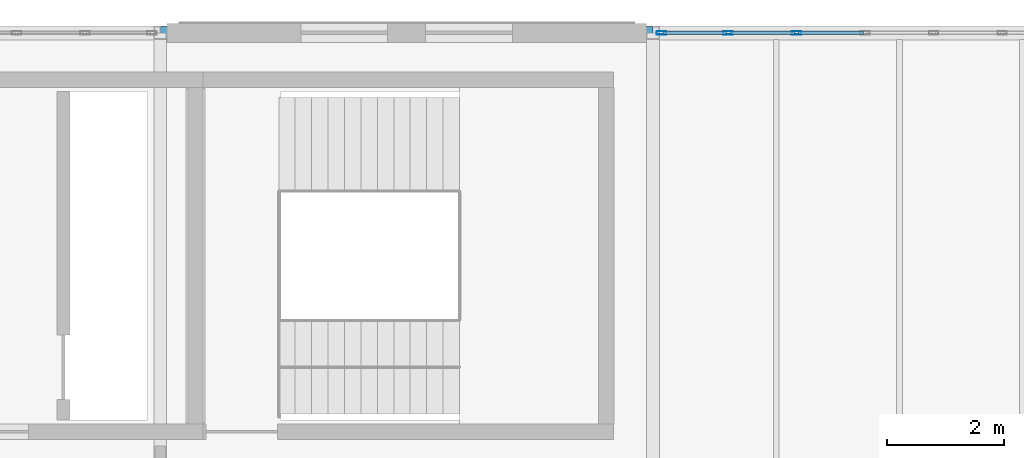
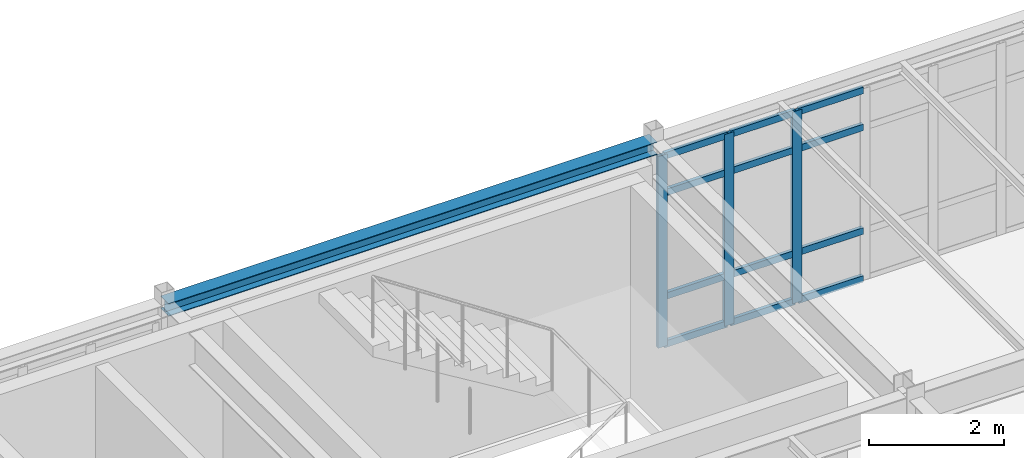
# One storey, part 52 of 114: 15 members, 1 beam, 1 element without a shape of its own.
"""IFC4 building model written with IfcOpenShell, lengths in metres."""

from ifc_helpers import new_model, si_unit, direction, frame, origin, origin_2d, place, context, subcontext, project, spatial, hollow_rectangle, i_section, extrude, material, layer, layer_set, material_profile, profile_set, type_object, element, aggregate, save


model = new_model("IFC4")

# Units and contexts
model_context = context("Model", 3, precision=1e-05, world=origin(), true_north=direction((0.0, 1.0)))
body_context = subcontext(model_context, "Body", "Model", "MODEL_VIEW")
ifc_project = project(units=[si_unit("LENGTHUNIT", "METRE"), si_unit("AREAUNIT", "SQUARE_METRE"), si_unit("VOLUMEUNIT", "CUBIC_METRE"), si_unit("PLANEANGLEUNIT", "RADIAN"), si_unit("MASSUNIT", "GRAM", prefix="KILO")], contexts=[model_context])

# Site, building, storey
site_placement = place(None, origin())
site = spatial("IfcSite", under=ifc_project, at=site_placement, CompositionType="ELEMENT")
building_placement = place(site_placement, origin())
building = spatial("IfcBuilding", under=site, at=building_placement, Name="Montecoro Central Library", CompositionType="ELEMENT")
storey_placement = place(building_placement, frame((0.0, 0.0, 13.260009765625)))
storey = spatial("IfcBuildingStorey", under=building, at=storey_placement, Name="L03", CompositionType="ELEMENT", Elevation=13.260009765625)

# Beam
ifc_material_1 = material(Name="Steel S355", Category="steel")
ifc_material_profile_1 = material_profile(ifc_material_1, i_section(OverallWidth=0.239990234375, OverallDepth=0.22998046875, WebThickness=0.007568359375, FlangeThickness=0.011962890625, at=origin_2d()), Name="HEA 240")
ifc_profile_set_1 = profile_set([ifc_material_profile_1], Name="Steel S355")
beam_type = type_object("IfcBeamType", Name="BM-SP-HEA240", PredefinedType="SPANDREL", material=ifc_profile_set_1)
beam_placement = place(storey_placement, frame((100.0048828125, 119.0, 3.7099609375), z_axis=(1.0, 0.0, 0.0), x_axis=(0.0, 1.0, 0.0)))
element("IfcBeam", 1, at=beam_placement, inside=storey, type_object=beam_type, Name="V2-L03-BX-1314-R", PredefinedType="SPANDREL", context=body_context, shape_type="SweptSolid", body=[
    extrude(i_section(OverallWidth=0.239990234375, OverallDepth=0.22998046875, WebThickness=0.007568359375, FlangeThickness=0.011962890625, at=origin_2d()), origin(), (0.0, 0.0, 1.0), 8.39013671875),
])

# Curtain wall, members
ifc_material_2 = material(Name="Bronze-anodised aluminium and low-E glazing", Category="aluminium")
ifc_layer = layer(ifc_material_2, 0.159912109375)
ifc_layer_set = layer_set([ifc_layer], Name="Bronze-anodised aluminium and low-E glazing")
curtain_wall_type = type_object("IfcCurtainWallType", Name="CWT-019", PredefinedType="NOTDEFINED", material=ifc_layer_set)
curtain_wall_placement = place(storey_placement, origin())
curtain_wall = element("IfcCurtainWall", 2, at=curtain_wall_placement, inside=storey, type_object=curtain_wall_type, Name="V2-L03-CW-N5", PredefinedType="NOTDEFINED")
ifc_material_3 = material(Name="Bronze-anodised aluminium", Category="aluminium")
ifc_material_profile_2 = material_profile(ifc_material_3, hollow_rectangle(XDim=0.06005859375, YDim=0.159912109375, WallThickness=0.00390625, at=origin_2d()), Name="CWM 160x60x4.0")
ifc_profile_set_2 = profile_set([ifc_material_profile_2], Name="Bronze-anodised aluminium")
member_type_1 = type_object("IfcMemberType", Name="CWM-BRZ-60", PredefinedType="MULLION", material=ifc_profile_set_2)
member_1_placement = place(storey_placement, frame((110.848388671875, 119.0, 0.0), z_axis=(0.0, 0.0, 1.0), x_axis=(0.0, -1.0, 0.0)))
member_1 = element("IfcMember", 3, at=member_1_placement, type_object=member_type_1, Name="CW-019 mullion 6", PredefinedType="MULLION", context=body_context, shape_type="SweptSolid", body=[
    extrude(hollow_rectangle(XDim=0.06005859375, YDim=0.159912109375, WallThickness=0.00390625, at=origin_2d()), origin(), (0.0, 0.0, 1.0), 3.47998046875),
])
member_2_placement = place(storey_placement, frame((109.6806640625, 119.0, 0.0), z_axis=(0.0, 0.0, 1.0), x_axis=(0.0, -1.0, 0.0)))
member_2 = element("IfcMember", 4, at=member_2_placement, type_object=member_type_1, Name="CW-019 mullion 7", PredefinedType="MULLION", context=body_context, shape_type="SweptSolid", body=[
    extrude(hollow_rectangle(XDim=0.06005859375, YDim=0.159912109375, WallThickness=0.00390625, at=origin_2d()), origin(), (0.0, 0.0, 1.0), 3.47998046875),
])
member_3_placement = place(storey_placement, frame((108.54296875, 119.0, 0.0), z_axis=(0.0, 0.0, 1.0), x_axis=(0.0, -1.0, 0.0)))
member_3 = element("IfcMember", 5, at=member_3_placement, type_object=member_type_1, Name="CW-019 mullion 8", PredefinedType="MULLION", context=body_context, shape_type="SweptSolid", body=[
    extrude(hollow_rectangle(XDim=0.06005859375, YDim=0.159912109375, WallThickness=0.00390625, at=origin_2d()), origin(), (0.0, 0.0, 1.0), 3.47998046875),
])
ifc_material_profile_3 = material_profile(ifc_material_3, hollow_rectangle(XDim=0.06005859375, YDim=0.1201171875, WallThickness=0.00390625, at=origin_2d()), Name="CWT 120x60x4.0")
ifc_profile_set_3 = profile_set([ifc_material_profile_3], Name="Bronze-anodised aluminium")
member_type_2 = type_object("IfcMemberType", Name="CWT-BRZ-60", PredefinedType="USERDEFINED", material=ifc_profile_set_3)
member_4_placement = place(storey_placement, frame((111.986083984375, 119.0, 0.030029296875), z_axis=(-1.0, 0.0, 0.0), x_axis=(0.0, -1.0, 0.0)))
member_4 = element("IfcMember", 6, at=member_4_placement, type_object=member_type_2, Name="CW-019 transom 5.1", ObjectType="TRANSOM", PredefinedType="USERDEFINED", context=body_context, shape_type="SweptSolid", body=[
    extrude(hollow_rectangle(XDim=0.06005859375, YDim=0.1201171875, WallThickness=0.00390625, at=origin_2d()), origin(), (0.0, 0.0, 1.0), 1.107666015625),
])
member_5_placement = place(storey_placement, frame((111.986083984375, 119.0, 0.89990234375), z_axis=(-1.0, 0.0, 0.0), x_axis=(0.0, -1.0, 0.0)))
member_5 = element("IfcMember", 7, at=member_5_placement, type_object=member_type_2, Name="CW-019 transom 5.2", ObjectType="TRANSOM", PredefinedType="USERDEFINED", context=body_context, shape_type="SweptSolid", body=[
    extrude(hollow_rectangle(XDim=0.06005859375, YDim=0.1201171875, WallThickness=0.00390625, at=origin_2d()), origin(), (0.0, 0.0, 1.0), 1.107666015625),
])
member_6_placement = place(storey_placement, frame((111.986083984375, 119.0, 2.780029296875), z_axis=(-1.0, 0.0, 0.0), x_axis=(0.0, -1.0, 0.0)))
member_6 = element("IfcMember", 8, at=member_6_placement, type_object=member_type_2, Name="CW-019 transom 5.3", ObjectType="TRANSOM", PredefinedType="USERDEFINED", context=body_context, shape_type="SweptSolid", body=[
    extrude(hollow_rectangle(XDim=0.06005859375, YDim=0.1201171875, WallThickness=0.00390625, at=origin_2d()), origin(), (0.0, 0.0, 1.0), 1.107666015625),
])
member_7_placement = place(storey_placement, frame((111.986083984375, 119.0, 3.449951171875), z_axis=(-1.0, 0.0, 0.0), x_axis=(0.0, -1.0, 0.0)))
member_7 = element("IfcMember", 9, at=member_7_placement, type_object=member_type_2, Name="CW-019 transom 5.4", ObjectType="TRANSOM", PredefinedType="USERDEFINED", context=body_context, shape_type="SweptSolid", body=[
    extrude(hollow_rectangle(XDim=0.06005859375, YDim=0.1201171875, WallThickness=0.00390625, at=origin_2d()), origin(), (0.0, 0.0, 1.0), 1.107666015625),
])
member_8_placement = place(storey_placement, frame((110.818359375, 119.0, 0.030029296875), z_axis=(-1.0, 0.0, 0.0), x_axis=(0.0, -1.0, 0.0)))
member_8 = element("IfcMember", 10, at=member_8_placement, type_object=member_type_2, Name="CW-019 transom 6.1", ObjectType="TRANSOM", PredefinedType="USERDEFINED", context=body_context, shape_type="SweptSolid", body=[
    extrude(hollow_rectangle(XDim=0.06005859375, YDim=0.1201171875, WallThickness=0.00390625, at=origin_2d()), origin(), (0.0, 0.0, 1.0), 1.107666015625),
])
member_9_placement = place(storey_placement, frame((110.818359375, 119.0, 0.89990234375), z_axis=(-1.0, 0.0, 0.0), x_axis=(0.0, -1.0, 0.0)))
member_9 = element("IfcMember", 11, at=member_9_placement, type_object=member_type_2, Name="CW-019 transom 6.2", ObjectType="TRANSOM", PredefinedType="USERDEFINED", context=body_context, shape_type="SweptSolid", body=[
    extrude(hollow_rectangle(XDim=0.06005859375, YDim=0.1201171875, WallThickness=0.00390625, at=origin_2d()), origin(), (0.0, 0.0, 1.0), 1.107666015625),
])
member_10_placement = place(storey_placement, frame((110.818359375, 119.0, 2.780029296875), z_axis=(-1.0, 0.0, 0.0), x_axis=(0.0, -1.0, 0.0)))
member_10 = element("IfcMember", 12, at=member_10_placement, type_object=member_type_2, Name="CW-019 transom 6.3", ObjectType="TRANSOM", PredefinedType="USERDEFINED", context=body_context, shape_type="SweptSolid", body=[
    extrude(hollow_rectangle(XDim=0.06005859375, YDim=0.1201171875, WallThickness=0.00390625, at=origin_2d()), origin(), (0.0, 0.0, 1.0), 1.107666015625),
])
member_11_placement = place(storey_placement, frame((110.818359375, 119.0, 3.449951171875), z_axis=(-1.0, 0.0, 0.0), x_axis=(0.0, -1.0, 0.0)))
member_11 = element("IfcMember", 13, at=member_11_placement, type_object=member_type_2, Name="CW-019 transom 6.4", ObjectType="TRANSOM", PredefinedType="USERDEFINED", context=body_context, shape_type="SweptSolid", body=[
    extrude(hollow_rectangle(XDim=0.06005859375, YDim=0.1201171875, WallThickness=0.00390625, at=origin_2d()), origin(), (0.0, 0.0, 1.0), 1.107666015625),
])
member_12_placement = place(storey_placement, frame((109.650634765625, 119.0, 0.030029296875), z_axis=(-1.0, 0.0, 0.0), x_axis=(0.0, -1.0, 0.0)))
member_12 = element("IfcMember", 14, at=member_12_placement, type_object=member_type_2, Name="CW-019 transom 7.1", ObjectType="TRANSOM", PredefinedType="USERDEFINED", context=body_context, shape_type="SweptSolid", body=[
    extrude(hollow_rectangle(XDim=0.06005859375, YDim=0.1201171875, WallThickness=0.00390625, at=origin_2d()), origin(), (0.0, 0.0, 1.0), 1.07763671875),
])
member_13_placement = place(storey_placement, frame((109.650634765625, 119.0, 0.89990234375), z_axis=(-1.0, 0.0, 0.0), x_axis=(0.0, -1.0, 0.0)))
member_13 = element("IfcMember", 15, at=member_13_placement, type_object=member_type_2, Name="CW-019 transom 7.2", ObjectType="TRANSOM", PredefinedType="USERDEFINED", context=body_context, shape_type="SweptSolid", body=[
    extrude(hollow_rectangle(XDim=0.06005859375, YDim=0.1201171875, WallThickness=0.00390625, at=origin_2d()), origin(), (0.0, 0.0, 1.0), 1.07763671875),
])
member_14_placement = place(storey_placement, frame((109.650634765625, 119.0, 2.780029296875), z_axis=(-1.0, 0.0, 0.0), x_axis=(0.0, -1.0, 0.0)))
member_14 = element("IfcMember", 16, at=member_14_placement, type_object=member_type_2, Name="CW-019 transom 7.3", ObjectType="TRANSOM", PredefinedType="USERDEFINED", context=body_context, shape_type="SweptSolid", body=[
    extrude(hollow_rectangle(XDim=0.06005859375, YDim=0.1201171875, WallThickness=0.00390625, at=origin_2d()), origin(), (0.0, 0.0, 1.0), 1.07763671875),
])
member_15_placement = place(storey_placement, frame((109.650634765625, 119.0, 3.449951171875), z_axis=(-1.0, 0.0, 0.0), x_axis=(0.0, -1.0, 0.0)))
member_15 = element("IfcMember", 17, at=member_15_placement, type_object=member_type_2, Name="CW-019 transom 7.4", ObjectType="TRANSOM", PredefinedType="USERDEFINED", context=body_context, shape_type="SweptSolid", body=[
    extrude(hollow_rectangle(XDim=0.06005859375, YDim=0.1201171875, WallThickness=0.00390625, at=origin_2d()), origin(), (0.0, 0.0, 1.0), 1.07763671875),
])
aggregate(curtain_wall, [member_1, member_2, member_3, member_4, member_5, member_6, member_7, member_8, member_9, member_10, member_11, member_12, member_13, member_14, member_15])

save(model, "model.ifc")
